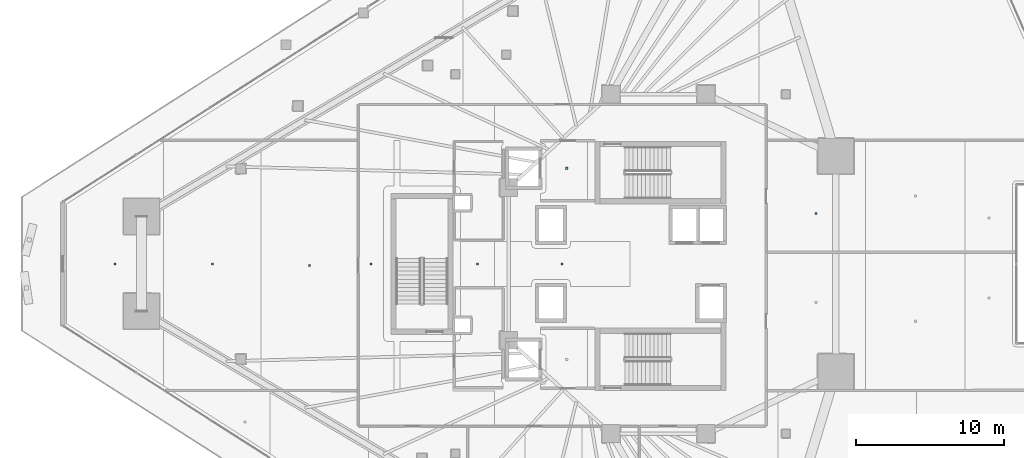
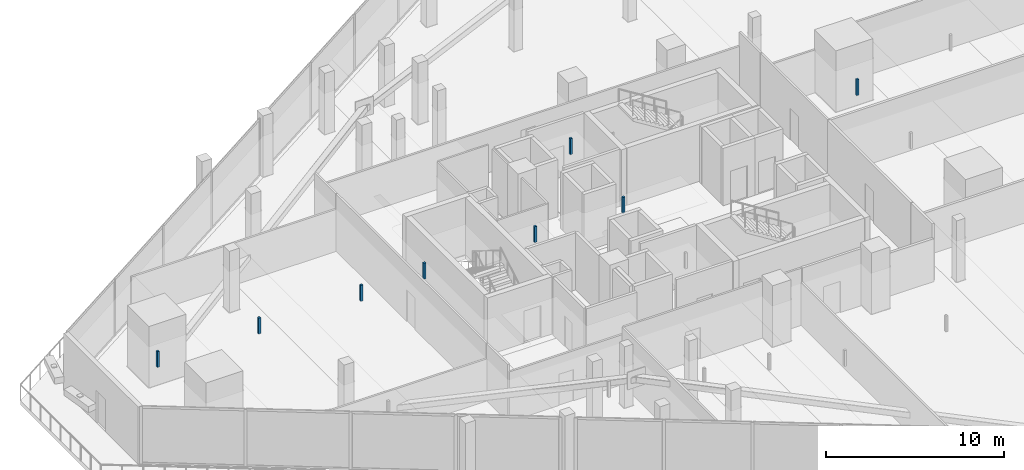
# One storey, part 34 of 45: 8 discrete accessories.
"""IFC4 building model written with IfcOpenShell, lengths in metres."""

from ifc_helpers import new_model, si_unit, direction, frame, origin, origin_2d, place, context, subcontext, project, spatial, rectangle, extrude, material, type_object, element, save


model = new_model("IFC4")

# Units and contexts
model_context = context("Model", 3, precision=1e-05, world=origin(), true_north=direction((0.0, 1.0)))
body_context = subcontext(model_context, "Body", "Model", "MODEL_VIEW")
ifc_project = project(units=[si_unit("LENGTHUNIT", "METRE"), si_unit("AREAUNIT", "SQUARE_METRE"), si_unit("VOLUMEUNIT", "CUBIC_METRE"), si_unit("PLANEANGLEUNIT", "RADIAN"), si_unit("MASSUNIT", "GRAM", prefix="KILO")], contexts=[model_context])

# Site, building, storey
site_placement = place(None, origin())
site = spatial("IfcSite", under=ifc_project, at=site_placement, CompositionType="ELEMENT")
building_placement = place(site_placement, origin())
building = spatial("IfcBuilding", under=site, at=building_placement, Name="Qorvath Tower", CompositionType="ELEMENT")
storey_placement = place(building_placement, frame((0.0, 0.0, 49.199951171875)))
storey = spatial("IfcBuildingStorey", under=building, at=storey_placement, Name="L10", CompositionType="ELEMENT", Elevation=49.199951171875)

# Discrete accessories
ifc_material = material(Name="Galvanised steel bracket", Category="steel")
discrete_accessory_type = type_object("IfcDiscreteAccessoryType", Name="DA-BRACKET", PredefinedType="BRACKET", material=ifc_material)
for number, where, z_axis, x_axis, name in (
    (1, (-26.590087890625, 6.449951171875, 2.85986328125), (0.0, 0.0, 1.0), (1.0, 0.0, 0.0), "Acoustic Ceiling Suspension Hanger T1-L10-001"),
    (2, (-39.797607421875, 0.0, 2.85986328125), (0.0, 0.0, 1.0), (1.0, 0.0, 0.0), "Acoustic Ceiling Suspension Hanger T1-L10-005"),
    (3, (-32.620849609375, 0.0, 2.85986328125), (0.0, 0.0, 1.0), (1.0, 0.0, 0.0), "Acoustic Ceiling Suspension Hanger T1-L10-006"),
    (4, (-26.89990234375, 0.0, 2.85986328125), (0.0, 0.0, 1.0), (1.0, 0.0, 0.0), "Acoustic Ceiling Suspension Hanger T1-L10-007"),
    (5, (-9.781982421875, 3.410400390625, 2.85986328125), (0.0, 0.0, 1.0), (1.0, 0.0, 0.0), "Acoustic Ceiling Suspension Hanger T1-L10-023"),
    (6, (-57.0654296875, 0.0, 2.85986328125), (0.0, 0.0, 1.0), (1.0, 0.0, 0.0), "Acoustic Ceiling Suspension Hanger T1-L10-026"),
    (7, (-50.50439453125, 0.0, 2.85986328125), (0.0, 0.0, 1.0), (1.0, 0.0, 0.0), "Acoustic Ceiling Suspension Hanger T1-L10-027"),
    (8, (-43.943603515625, -0.09716796875, 2.85986328125), (0.0, 0.0, 1.0), (1.0, 0.0, 0.0), "Acoustic Ceiling Suspension Hanger T1-L10-028"),
):
    element("IfcDiscreteAccessory", number, at=place(storey_placement, frame(where, z_axis=z_axis, x_axis=x_axis)), inside=storey, type_object=discrete_accessory_type, Name=name, PredefinedType="NOTDEFINED", context=body_context, shape_type="SweptSolid", body=[
        extrude(rectangle(XDim=0.139892578125, YDim=0.139892578125, at=origin_2d()), origin(), (0.0, 0.0, 1.0), 1.090087890625),
    ])

save(model, "model.ifc")
